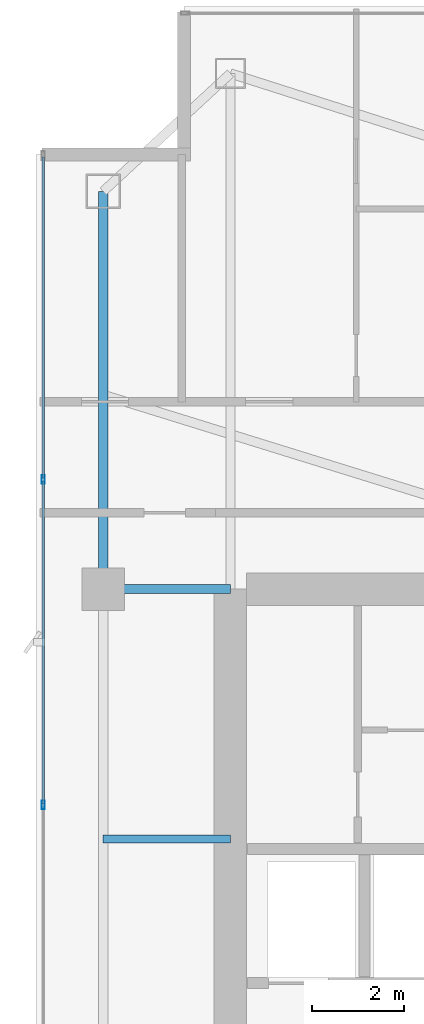
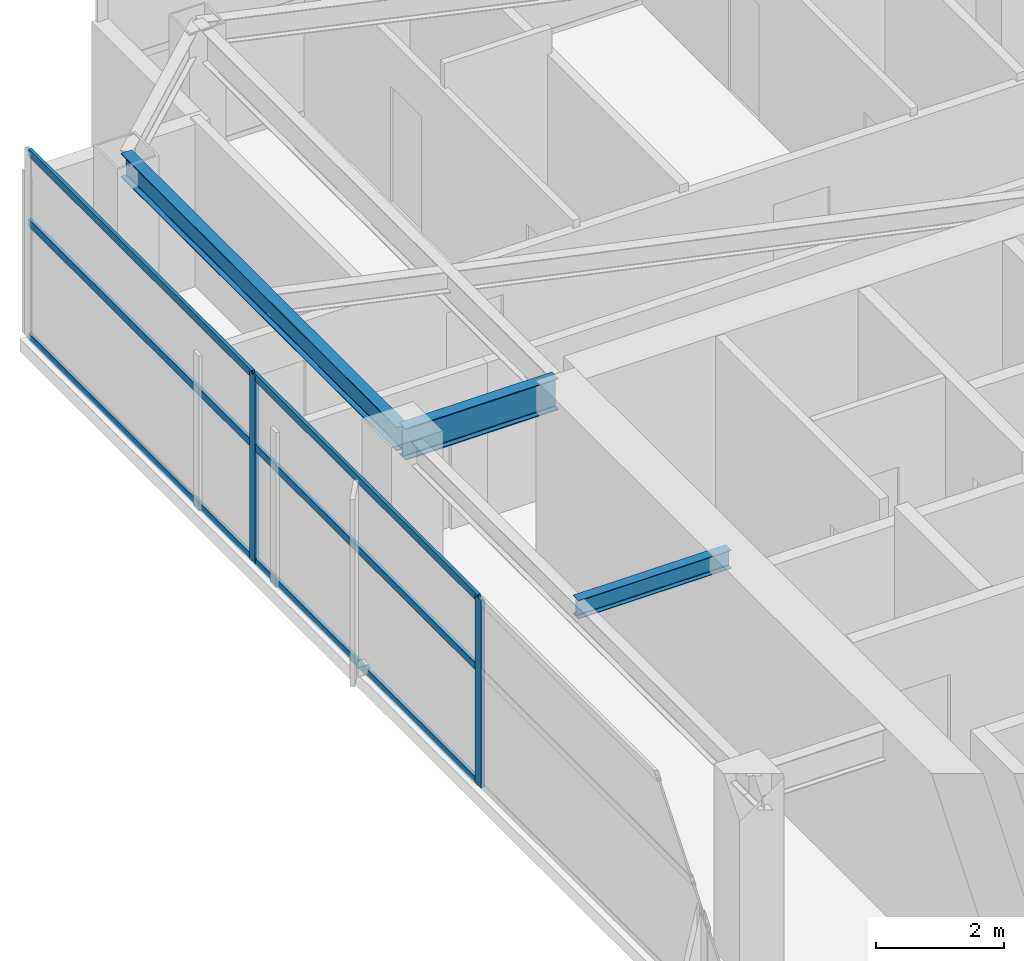
# One storey, part 16 of 29: 8 members, 3 beams, 1 element without a shape of its own.
"""IFC4 building model written with IfcOpenShell, lengths in metres."""

from ifc_helpers import new_model, si_unit, direction, frame, origin, origin_2d, place, context, subcontext, project, spatial, hollow_rectangle, i_section, extrude, material, layer, layer_set, material_profile, profile_set, type_object, element, aggregate, save


model = new_model("IFC4")

# Units and contexts
model_context = context("Model", 3, precision=1e-05, world=origin(), true_north=direction((0.0, 1.0)))
body_context = subcontext(model_context, "Body", "Model", "MODEL_VIEW")
ifc_project = project(units=[si_unit("LENGTHUNIT", "METRE"), si_unit("AREAUNIT", "SQUARE_METRE"), si_unit("VOLUMEUNIT", "CUBIC_METRE"), si_unit("PLANEANGLEUNIT", "RADIAN"), si_unit("MASSUNIT", "GRAM", prefix="KILO")], contexts=[model_context])

# Site, building, storey
site_placement = place(None, origin())
site = spatial("IfcSite", under=ifc_project, at=site_placement, CompositionType="ELEMENT")
building_placement = place(site_placement, origin())
building = spatial("IfcBuilding", under=site, at=building_placement, Name="Calvorn Quay Hotel", CompositionType="ELEMENT")
storey_placement = place(building_placement, frame((0.0, 0.0, 211.0)))
storey = spatial("IfcBuildingStorey", under=building, at=storey_placement, Name="L52", CompositionType="ELEMENT", Elevation=211.0)

# Beams
ifc_material_1 = material(Name="Steel Q355B", Category="steel")
ifc_material_profile_1 = material_profile(ifc_material_1, i_section(OverallWidth=0.199951171875, OverallDepth=0.60009765625, WebThickness=0.010986328125, FlangeThickness=0.01708984375, FilletRadius=0.01806640625, at=origin_2d()), Name="HN600x200x11x17")
ifc_profile_set_1 = profile_set([ifc_material_profile_1], Name="Steel Q355B")
beam_type_1 = type_object("IfcBeamType", Name="BM-GIRD-TYP", PredefinedType="BEAM", material=ifc_profile_set_1)
beam_1_placement = place(storey_placement, frame((1.449951171875, 38.39990234375, 3.239990234375), z_axis=(1.0, 0.0, 0.0), x_axis=(0.0, 1.0, 0.0)))
element("IfcBeam", 1, at=beam_1_placement, inside=storey, type_object=beam_type_1, Name="Beam BG-L52-W3", PredefinedType="BEAM", context=body_context, shape_type="SweptSolid", body=[
    extrude(i_section(OverallWidth=0.199951171875, OverallDepth=0.60009765625, WebThickness=0.010986328125, FlangeThickness=0.01708984375, FilletRadius=0.01806640625, at=origin_2d()), origin(), (0.0, 0.0, 1.0), 2.75),
])
ifc_material_2 = material(Name="Steel Q355B", Category="steel")
ifc_material_profile_2 = material_profile(ifc_material_2, i_section(OverallWidth=0.175048828125, OverallDepth=0.35009765625, WebThickness=0.007080078125, FlangeThickness=0.010986328125, FilletRadius=0.013916015625, at=origin_2d()), Name="HN350x175x7x11")
ifc_profile_set_2 = profile_set([ifc_material_profile_2], Name="Steel Q355B")
beam_type_2 = type_object("IfcBeamType", Name="BM-JOIST-SEC", PredefinedType="JOIST", material=ifc_profile_set_2)
beam_2_placement = place(storey_placement, frame((1.449951171875, 33.0, 3.364990234375), z_axis=(1.0, 0.0, 0.0), x_axis=(0.0, 1.0, 0.0)))
element("IfcBeam", 2, at=beam_2_placement, inside=storey, type_object=beam_type_2, Name="Beam BJ-L52-W4", PredefinedType="JOIST", context=body_context, shape_type="SweptSolid", body=[
    extrude(i_section(OverallWidth=0.175048828125, OverallDepth=0.35009765625, WebThickness=0.007080078125, FlangeThickness=0.010986328125, FilletRadius=0.013916015625, at=origin_2d()), origin(), (0.0, 0.0, 1.0), 2.75),
])
ifc_material_3 = material(Name="Steel Q355B", Category="steel")
ifc_material_profile_3 = material_profile(ifc_material_3, i_section(OverallWidth=0.199951171875, OverallDepth=0.449951171875, WebThickness=0.009033203125, FlangeThickness=0.013916015625, FilletRadius=0.01611328125, at=origin_2d()), Name="HN450x200x9x14")
ifc_profile_set_3 = profile_set([ifc_material_profile_3], Name="Steel Q355B")
beam_type_3 = type_object("IfcBeamType", Name="BM-SPANDREL-Z3", PredefinedType="SPANDREL", material=ifc_profile_set_3)
beam_3_placement = place(storey_placement, frame((1.449951171875, 38.39990234375, 3.31494140625), z_axis=(0.0, 1.0, 0.0), x_axis=(-1.0, 0.0, 0.0)))
element("IfcBeam", 3, at=beam_3_placement, inside=storey, type_object=beam_type_3, Name="Beam BSP-L52-W4", PredefinedType="SPANDREL", context=body_context, shape_type="SweptSolid", body=[
    extrude(i_section(OverallWidth=0.199951171875, OverallDepth=0.449951171875, WebThickness=0.009033203125, FlangeThickness=0.013916015625, FilletRadius=0.01611328125, at=origin_2d()), origin(), (0.0, 0.0, 1.0), 8.60009765625),
])

# Curtain wall, members
ifc_material_4 = material(Name="Champagne Bronze Anodised Aluminium and Low-E Glass", Category="aluminium")
ifc_layer = layer(ifc_material_4, 0.219970703125)
ifc_layer_set = layer_set([ifc_layer], Name="CW-SYS-Z3")
curtain_wall_type = type_object("IfcCurtainWallType", Name="CW-SYS-Z3", PredefinedType="NOTDEFINED", material=ifc_layer_set)
curtain_wall_placement = place(storey_placement, origin())
curtain_wall = element("IfcCurtainWall", 4, at=curtain_wall_placement, inside=storey, type_object=curtain_wall_type, Name="Tower West Curtain Wall (L52)", PredefinedType="NOTDEFINED")
ifc_material_5 = material(Name="Champagne Bronze Anodised Aluminium 6063-T6", Category="aluminium")
ifc_material_profile_4 = material_profile(ifc_material_5, hollow_rectangle(XDim=0.068115234375, YDim=0.18505859375, WallThickness=0.00390625, at=origin_2d()), Name="ALU-M185x68x4")
ifc_profile_set_4 = profile_set([ifc_material_profile_4], Name="Champagne Bronze Anodised Aluminium 6063-T6")
member_type_1 = type_object("IfcMemberType", Name="CW-SYS-Z3-MUL", PredefinedType="MULLION", material=ifc_profile_set_4)
member_1_placement = place(storey_placement, frame((0.14990234375, 33.7333984375, 0.0), z_axis=(0.0, 0.0, 1.0), x_axis=(-1.0, 0.0, 0.0)))
member_1 = element("IfcMember", 5, at=member_1_placement, type_object=member_type_1, Name="CW-L52-W mullion 5", PredefinedType="MULLION", context=body_context, shape_type="SweptSolid", body=[
    extrude(hollow_rectangle(XDim=0.068115234375, YDim=0.18505859375, WallThickness=0.00390625, at=origin_2d()), origin(), (0.0, 0.0, 1.0), 3.56005859375),
])
member_2_placement = place(storey_placement, frame((0.14990234375, 40.7666015625, 0.0), z_axis=(0.0, 0.0, 1.0), x_axis=(-1.0, 0.0, 0.0)))
member_2 = element("IfcMember", 6, at=member_2_placement, type_object=member_type_1, Name="CW-L52-W mullion 6", PredefinedType="MULLION", context=body_context, shape_type="SweptSolid", body=[
    extrude(hollow_rectangle(XDim=0.068115234375, YDim=0.18505859375, WallThickness=0.00390625, at=origin_2d()), origin(), (0.0, 0.0, 1.0), 3.56005859375),
])
ifc_material_6 = material(Name="Champagne Bronze Anodised Aluminium 6063-T6", Category="aluminium")
ifc_material_profile_5 = material_profile(ifc_material_6, hollow_rectangle(XDim=0.05810546875, YDim=0.139892578125, WallThickness=0.003173828125, at=origin_2d()), Name="ALU-T140x58x3.2")
ifc_profile_set_5 = profile_set([ifc_material_profile_5], Name="Champagne Bronze Anodised Aluminium 6063-T6")
member_type_2 = type_object("IfcMemberType", Name="CW-SYS-Z3-TRN", PredefinedType="USERDEFINED", material=ifc_profile_set_5)
member_3_placement = place(storey_placement, frame((0.14990234375, 33.763427734375, 0.030029296875), z_axis=(0.0, 1.0, 0.0), x_axis=(-1.0, 0.0, 0.0)))
member_3 = element("IfcMember", 7, at=member_3_placement, type_object=member_type_2, Name="CW-L52-W transom 5.1", ObjectType="TRANSOM", PredefinedType="USERDEFINED", context=body_context, shape_type="SweptSolid", body=[
    extrude(hollow_rectangle(XDim=0.05810546875, YDim=0.139892578125, WallThickness=0.003173828125, at=origin_2d()), origin(), (0.0, 0.0, 1.0), 6.97314453125),
])
member_4_placement = place(storey_placement, frame((0.14990234375, 33.763427734375, 2.199951171875), z_axis=(0.0, 1.0, 0.0), x_axis=(-1.0, 0.0, 0.0)))
member_4 = element("IfcMember", 8, at=member_4_placement, type_object=member_type_2, Name="CW-L52-W transom 5.2", ObjectType="TRANSOM", PredefinedType="USERDEFINED", context=body_context, shape_type="SweptSolid", body=[
    extrude(hollow_rectangle(XDim=0.05810546875, YDim=0.139892578125, WallThickness=0.003173828125, at=origin_2d()), origin(), (0.0, 0.0, 1.0), 6.97314453125),
])
member_5_placement = place(storey_placement, frame((0.14990234375, 33.763427734375, 3.530029296875), z_axis=(0.0, 1.0, 0.0), x_axis=(-1.0, 0.0, 0.0)))
member_5 = element("IfcMember", 9, at=member_5_placement, type_object=member_type_2, Name="CW-L52-W transom 5.3", ObjectType="TRANSOM", PredefinedType="USERDEFINED", context=body_context, shape_type="SweptSolid", body=[
    extrude(hollow_rectangle(XDim=0.05810546875, YDim=0.139892578125, WallThickness=0.003173828125, at=origin_2d()), origin(), (0.0, 0.0, 1.0), 6.97314453125),
])
member_6_placement = place(storey_placement, frame((0.14990234375, 40.796630859375, 0.030029296875), z_axis=(0.0, 1.0, 0.0), x_axis=(-1.0, 0.0, 0.0)))
member_6 = element("IfcMember", 10, at=member_6_placement, type_object=member_type_2, Name="CW-L52-W transom 6.1", ObjectType="TRANSOM", PredefinedType="USERDEFINED", context=body_context, shape_type="SweptSolid", body=[
    extrude(hollow_rectangle(XDim=0.05810546875, YDim=0.139892578125, WallThickness=0.003173828125, at=origin_2d()), origin(), (0.0, 0.0, 1.0), 6.943359375),
])
member_7_placement = place(storey_placement, frame((0.14990234375, 40.796630859375, 2.199951171875), z_axis=(0.0, 1.0, 0.0), x_axis=(-1.0, 0.0, 0.0)))
member_7 = element("IfcMember", 11, at=member_7_placement, type_object=member_type_2, Name="CW-L52-W transom 6.2", ObjectType="TRANSOM", PredefinedType="USERDEFINED", context=body_context, shape_type="SweptSolid", body=[
    extrude(hollow_rectangle(XDim=0.05810546875, YDim=0.139892578125, WallThickness=0.003173828125, at=origin_2d()), origin(), (0.0, 0.0, 1.0), 6.943359375),
])
member_8_placement = place(storey_placement, frame((0.14990234375, 40.796630859375, 3.530029296875), z_axis=(0.0, 1.0, 0.0), x_axis=(-1.0, 0.0, 0.0)))
member_8 = element("IfcMember", 12, at=member_8_placement, type_object=member_type_2, Name="CW-L52-W transom 6.3", ObjectType="TRANSOM", PredefinedType="USERDEFINED", context=body_context, shape_type="SweptSolid", body=[
    extrude(hollow_rectangle(XDim=0.05810546875, YDim=0.139892578125, WallThickness=0.003173828125, at=origin_2d()), origin(), (0.0, 0.0, 1.0), 6.943359375),
])
aggregate(curtain_wall, [member_1, member_2, member_3, member_4, member_5, member_6, member_7, member_8])

save(model, "model.ifc")
